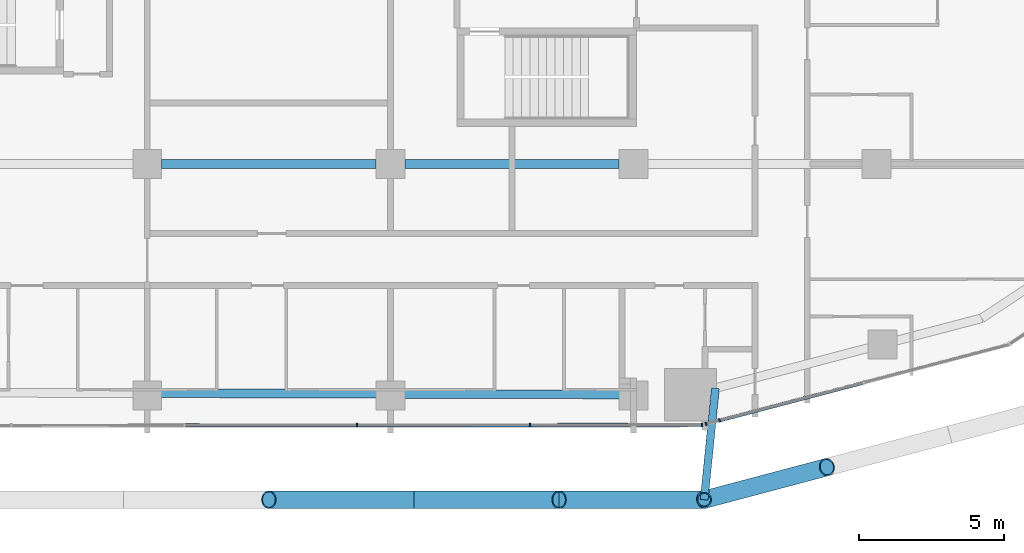
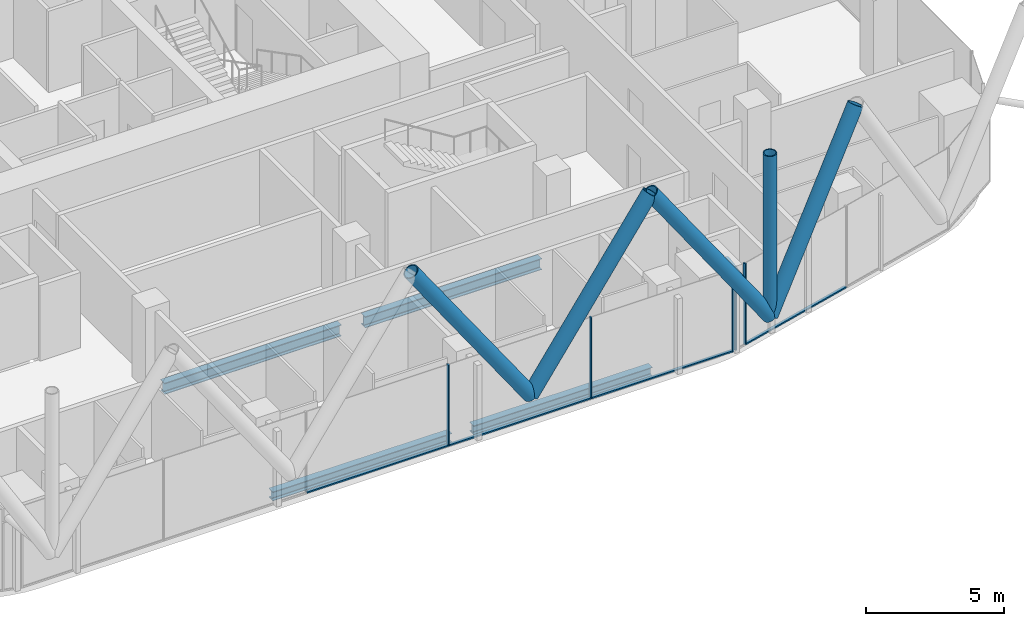
# One storey, part 5 of 34: 15 members, 4 beams, 3 elements without a shape of their own.
"""IFC4 building model written with IfcOpenShell, lengths in metres."""

from ifc_helpers import new_model, si_unit, direction, frame, origin, origin_2d, place, context, subcontext, project, spatial, rectangle, hollow_circle, i_section, extrude, material, layer, layer_set, material_profile, profile_set, type_object, element, aggregate, save


model = new_model("IFC4")

# Units and contexts
model_context = context("Model", 3, precision=1e-05, world=origin(), true_north=direction((0.0, 1.0)))
body_context = subcontext(model_context, "Body", "Model", "MODEL_VIEW")
ifc_project = project(units=[si_unit("LENGTHUNIT", "METRE"), si_unit("AREAUNIT", "SQUARE_METRE"), si_unit("VOLUMEUNIT", "CUBIC_METRE"), si_unit("PLANEANGLEUNIT", "RADIAN"), si_unit("MASSUNIT", "GRAM", prefix="KILO")], contexts=[model_context])

# Site, building, storey
site_placement = place(None, origin())
site = spatial("IfcSite", under=ifc_project, at=site_placement, CompositionType="ELEMENT")
building_placement = place(site_placement, origin())
building = spatial("IfcBuilding", under=site, at=building_placement, Name="Marenta Gate Hotel Tower", CompositionType="ELEMENT")
storey_placement = place(building_placement, frame((0.0, 0.0, 47.300048828125)))
storey = spatial("IfcBuildingStorey", under=building, at=storey_placement, Name="L09", CompositionType="ELEMENT", Elevation=47.300048828125)

# Members
ifc_material_1 = material(Name="Steel S355J2W", Category="steel")
ifc_material_profile_1 = material_profile(ifc_material_1, hollow_circle(Radius=0.25390625, WallThickness=0.0400390625, at=origin_2d()), Name="CHS 508x40")
ifc_profile_set_1 = profile_set([ifc_material_profile_1], Name="Steel S355J2W")
member_type_1 = type_object("IfcMemberType", Name="Diagrid corner post Z1 CHS 508x40", PredefinedType="POST", material=ifc_profile_set_1)
member_1_placement = place(storey_placement, frame((15.0390625, -20.0, 3.139892578125), z_axis=(0.0, 0.0, 1.0), x_axis=(1.0, 0.0, 0.0)))
element("IfcMember", 1, at=member_1_placement, inside=storey, type_object=member_type_1, Name="L09-DR-3", PredefinedType="POST", context=body_context, shape_type="SweptSolid", body=[
    extrude(hollow_circle(Radius=0.25390625, WallThickness=0.0400390625, at=origin_2d()), origin(), (0.0, 0.0, 1.0), 7.199951171875),
])
ifc_material_2 = material(Name="Steel S355J2W", Category="steel")
ifc_material_profile_2 = material_profile(ifc_material_2, hollow_circle(Radius=0.304931640625, WallThickness=0.0400390625, at=origin_2d()), Name="CHS 610x40")
ifc_profile_set_2 = profile_set([ifc_material_profile_2], Name="Steel S355J2W")
member_type_2 = type_object("IfcMemberType", Name="Diagrid diagonal Z1 CHS 610x40", PredefinedType="BRACE", material=ifc_profile_set_2)
member_2_placement = place(storey_placement, frame((15.0390625, -20.0, 3.139892578125), z_axis=(0.502924018666, 0.133433548941, 0.853968921838), x_axis=(-0.256443187528, 0.96655930577, 0.0)))
element("IfcMember", 2, at=member_2_placement, inside=storey, type_object=member_type_2, Name="L09-DG-14", PredefinedType="BRACE", context=body_context, shape_type="SweptSolid", body=[
    extrude(hollow_circle(Radius=0.304931640625, WallThickness=0.0400390625, at=origin_2d()), origin(), (0.0, 0.0, 1.0), 8.43115234375),
])
member_3_placement = place(storey_placement, frame((15.0390625, -20.0, 3.139892578125), z_axis=(-0.571411767966, 0.0, 0.820663506822), x_axis=(0.0, -1.0, 0.0)))
element("IfcMember", 3, at=member_3_placement, inside=storey, type_object=member_type_2, Name="L09-DG-15", PredefinedType="BRACE", context=body_context, shape_type="SweptSolid", body=[
    extrude(hollow_circle(Radius=0.304931640625, WallThickness=0.0400390625, at=origin_2d()), origin(), (0.0, 0.0, 1.0), 8.7734375),
])
for number, where, z_axis, x_axis, name in (
    (4, (5.012939453125, -20.0, 3.139892578125), (0.571393025954, 0.0, 0.820676556197), (0.0, 1.0, 0.0), "L09-DG-16"),
    (5, (5.012939453125, -20.0, 3.139892578125), (-0.571393025954, 0.0, 0.820676556197), (0.0, -1.0, 0.0), "L09-DG-17"),
):
    element("IfcMember", number, at=place(storey_placement, frame(where, z_axis=z_axis, x_axis=x_axis)), inside=storey, type_object=member_type_2, Name=name, PredefinedType="BRACE", context=body_context, shape_type="SweptSolid", body=[
        extrude(hollow_circle(Radius=0.304931640625, WallThickness=0.0400390625, at=origin_2d()), origin(), (0.0, 0.0, 1.0), 8.773193359375),
    ])

# Beams
ifc_material_3 = material(Name="Steel S355", Category="steel")
ifc_material_profile_3 = material_profile(ifc_material_3, i_section(OverallWidth=0.300048828125, OverallDepth=0.39990234375, WebThickness=0.013427734375, FlangeThickness=0.02392578125, FilletRadius=0.027099609375, at=origin_2d()), Name="HEB 400")
ifc_profile_set_3 = profile_set([ifc_material_profile_3], Name="Steel S355")
beam_type_1 = type_object("IfcBeamType", Name="Edge beam HEB 400", PredefinedType="SPANDREL", material=ifc_profile_set_3)
for number, where, z_axis, x_axis, name in (
    (6, (12.139892578125, -16.365966796875, -0.4599609375), (-0.99999624158, 0.002741683018, 0.0), (-0.002741683018, -0.99999624158, 0.0), "L09-EB-32"),
    (7, (3.739990234375, -16.3427734375, -0.4599609375), (-0.99999624158, 0.002741683018, 0.0), (-0.002741683018, -0.99999624158, 0.0), "L09-EB-33"),
):
    element("IfcBeam", number, at=place(storey_placement, frame(where, z_axis=z_axis, x_axis=x_axis)), inside=storey, type_object=beam_type_1, Name=name, PredefinedType="SPANDREL", context=body_context, shape_type="SweptSolid", body=[
        extrude(i_section(OverallWidth=0.300048828125, OverallDepth=0.39990234375, WebThickness=0.013427734375, FlangeThickness=0.02392578125, FilletRadius=0.027099609375, at=origin_2d()), origin(), (0.0, 0.0, 1.0), 7.47998046875),
    ])

# Member
ifc_material_4 = material(Name="Steel S355J2W", Category="steel")
ifc_material_profile_4 = material_profile(ifc_material_4, hollow_circle(Radius=0.136474609375, WallThickness=0.012451171875, at=origin_2d()), Name="CHS 273x12.5")
ifc_profile_set_4 = profile_set([ifc_material_profile_4], Name="Steel S355J2W")
member_type_3 = type_object("IfcMemberType", Name="Floor tie CHS 273x12.5", PredefinedType="STRUT", material=ifc_profile_set_4)
member_4_placement = place(storey_placement, frame((15.0390625, -20.0, 3.139892578125), z_axis=(0.100354093407, 0.994951785735, 0.0), x_axis=(-0.994951785735, 0.100354093407, 0.0)))
element("IfcMember", 8, at=member_4_placement, inside=storey, type_object=member_type_3, Name="L09-DR-9", PredefinedType="STRUT", context=body_context, shape_type="SweptSolid", body=[
    extrude(hollow_circle(Radius=0.136474609375, WallThickness=0.012451171875, at=origin_2d()), origin(), (0.0, 0.0, 1.0), 3.86572265625),
])

# Beams
ifc_material_5 = material(Name="Steel S355", Category="steel")
ifc_material_profile_5 = material_profile(ifc_material_5, i_section(OverallWidth=0.300048828125, OverallDepth=0.5, WebThickness=0.014404296875, FlangeThickness=0.028076171875, FilletRadius=0.027099609375, at=origin_2d()), Name="HEB 500")
ifc_profile_set_5 = profile_set([ifc_material_profile_5], Name="Steel S355")
beam_type_2 = type_object("IfcBeamType", Name="Girder HEB 500", PredefinedType="BEAM", material=ifc_profile_set_5)
beam_1_placement = place(storey_placement, frame((-3.699951171875, -8.39990234375, -0.510009765625), z_axis=(1.0, 0.0, 0.0), x_axis=(0.0, 1.0, 0.0)))
element("IfcBeam", 9, at=beam_1_placement, inside=storey, type_object=beam_type_2, Name="L09-GD-4", PredefinedType="BEAM", context=body_context, shape_type="SweptSolid", body=[
    extrude(i_section(OverallWidth=0.300048828125, OverallDepth=0.5, WebThickness=0.014404296875, FlangeThickness=0.028076171875, FilletRadius=0.027099609375, at=origin_2d()), origin(), (0.0, 0.0, 1.0), 7.39990234375),
])
beam_2_placement = place(storey_placement, frame((4.699951171875, -8.39990234375, -0.510009765625), z_axis=(1.0, 0.0, 0.0), x_axis=(0.0, 1.0, 0.0)))
element("IfcBeam", 10, at=beam_2_placement, inside=storey, type_object=beam_type_2, Name="L09-GD-5", PredefinedType="BEAM", context=body_context, shape_type="SweptSolid", body=[
    extrude(i_section(OverallWidth=0.300048828125, OverallDepth=0.5, WebThickness=0.014404296875, FlangeThickness=0.028076171875, FilletRadius=0.027099609375, at=origin_2d()), origin(), (0.0, 0.0, 1.0), 7.400146484375),
])

# Curtain wall, members
ifc_material_6 = material(Name="Tinted insulated glass in bronze anodised frame", Category="glass")
ifc_layer = layer(ifc_material_6, 0.1201171875)
ifc_layer_set = layer_set([ifc_layer], Name="Tinted insulated glass in bronze anodised frame")
curtain_wall_type = type_object("IfcCurtainWallType", Name="Tower unitised curtain wall CW1", PredefinedType="NOTDEFINED", material=ifc_layer_set)
curtain_wall_1_placement = place(storey_placement, origin())
curtain_wall_1 = element("IfcCurtainWall", 11, at=curtain_wall_1_placement, inside=storey, type_object=curtain_wall_type, Name="CW1 run G11", PredefinedType="NOTDEFINED")
ifc_material_7 = material(Name="Bronze anodised aluminium", Category="aluminium")
ifc_material_profile_6 = material_profile(ifc_material_7, rectangle(XDim=0.1201171875, YDim=0.06005859375, at=origin_2d()), Name="Mullion CW1 60x120 bronze anodised aluminium")
ifc_profile_set_6 = profile_set([ifc_material_profile_6], Name="Bronze anodised aluminium")
member_type_4 = type_object("IfcMemberType", Name="Mullion CW1 60x120 bronze anodised aluminium", PredefinedType="MULLION", material=ifc_profile_set_6)
member_5_placement = place(storey_placement, frame((3.048095703125, -17.427001953125, 0.0), z_axis=(0.0, 0.0, 1.0), x_axis=(-0.001161921639, 0.999999324969, 0.0)))
member_5 = element("IfcMember", 12, at=member_5_placement, type_object=member_type_4, Name="CW1 mullion 4", PredefinedType="MULLION", context=body_context, shape_type="SweptSolid", body=[
    extrude(rectangle(XDim=0.1201171875, YDim=0.06005859375, at=origin_2d()), origin(), (0.0, 0.0, 1.0), 3.599853515625),
])
member_6_placement = place(storey_placement, frame((9.020751953125, -17.419921875, 0.0), z_axis=(0.0, 0.0, 1.0), x_axis=(-0.001161921639, 0.999999324969, 0.0)))
member_6 = element("IfcMember", 13, at=member_6_placement, type_object=member_type_4, Name="CW1 mullion 5", PredefinedType="MULLION", context=body_context, shape_type="SweptSolid", body=[
    extrude(rectangle(XDim=0.1201171875, YDim=0.06005859375, at=origin_2d()), origin(), (0.0, 0.0, 1.0), 3.599853515625),
])
member_7_placement = place(storey_placement, frame((14.963623046875, -17.4130859375, 0.0), z_axis=(0.0, 0.0, 1.0), x_axis=(-0.001161921639, 0.999999324969, 0.0)))
member_7 = element("IfcMember", 14, at=member_7_placement, type_object=member_type_4, Name="CW1 mullion 6", PredefinedType="MULLION", context=body_context, shape_type="SweptSolid", body=[
    extrude(rectangle(XDim=0.1201171875, YDim=0.06005859375, at=origin_2d()), origin(), (0.0, 0.0, 1.0), 3.599853515625),
])

# Curtain wall, member
curtain_wall_2_placement = place(storey_placement, origin())
curtain_wall_2 = element("IfcCurtainWall", 15, at=curtain_wall_2_placement, inside=storey, type_object=curtain_wall_type, Name="CW1 run G12", PredefinedType="NOTDEFINED")
member_8_placement = place(storey_placement, frame((15.103515625, -17.38427734375, 0.0), z_axis=(0.0, 0.0, 1.0), x_axis=(-0.25342392363, 0.967355319897, 0.0)))
member_8 = element("IfcMember", 16, at=member_8_placement, type_object=member_type_4, Name="CW1 mullion 1", PredefinedType="MULLION", context=body_context, shape_type="SweptSolid", body=[
    extrude(rectangle(XDim=0.1201171875, YDim=0.06005859375, at=origin_2d()), origin(), (0.0, 0.0, 1.0), 3.00048828125),
])
aggregate(curtain_wall_2, [member_8])

curtain_wall_3_placement = place(storey_placement, origin())
curtain_wall_3 = element("IfcCurtainWall", 17, at=curtain_wall_3_placement, inside=storey, type_object=curtain_wall_type, Name="CW1 run G13", PredefinedType="NOTDEFINED")
member_9_placement = place(storey_placement, frame((15.571044921875, -17.26171875, 0.0), z_axis=(0.0, 0.0, 1.0), x_axis=(-0.253363691666, 0.967371097224, 0.0)))
member_9 = element("IfcMember", 18, at=member_9_placement, type_object=member_type_4, Name="CW1 mullion 1", PredefinedType="MULLION", context=body_context, shape_type="SweptSolid", body=[
    extrude(rectangle(XDim=0.1201171875, YDim=0.06005859375, at=origin_2d()), origin(), (0.0, 0.0, 1.0), 3.599853515625),
])

# Member
ifc_material_8 = material(Name="Bronze anodised aluminium", Category="aluminium")
ifc_material_profile_7 = material_profile(ifc_material_8, rectangle(XDim=0.1201171875, YDim=0.06005859375, at=origin_2d()), Name="Transom CW1 60x120 bronze anodised aluminium")
ifc_profile_set_7 = profile_set([ifc_material_profile_7], Name="Bronze anodised aluminium")
member_type_5 = type_object("IfcMemberType", Name="Transom CW1 60x120 bronze anodised aluminium", PredefinedType="USERDEFINED", material=ifc_profile_set_7)
member_10_placement = place(storey_placement, frame((-2.894775390625, -17.433837890625, 0.030029296875), z_axis=(0.999999331697, 0.001156116326, 0.0), x_axis=(-0.001156116326, 0.999999331697, 0.0)))
member_10 = element("IfcMember", 19, at=member_10_placement, type_object=member_type_5, Name="CW1 transom 3.1", ObjectType="TRANSOM", PredefinedType="USERDEFINED", context=body_context, shape_type="SweptSolid", body=[
    extrude(rectangle(XDim=0.1201171875, YDim=0.06005859375, at=origin_2d()), origin(), (0.0, 0.0, 1.0), 5.912841796875),
])

member_11_placement = place(storey_placement, frame((3.077880859375, -17.427001953125, 0.030029296875), z_axis=(0.999999331697, 0.001156116326, 0.0), x_axis=(-0.001156116326, 0.999999331697, 0.0)))
member_11 = element("IfcMember", 20, at=member_11_placement, type_object=member_type_5, Name="CW1 transom 4.1", ObjectType="TRANSOM", PredefinedType="USERDEFINED", context=body_context, shape_type="SweptSolid", body=[
    extrude(rectangle(XDim=0.1201171875, YDim=0.06005859375, at=origin_2d()), origin(), (0.0, 0.0, 1.0), 5.912841796875),
])

member_12_placement = place(storey_placement, frame((9.05078125, -17.419921875, 0.030029296875), z_axis=(0.999999324857, 0.001162017808, 0.0), x_axis=(-0.001162017808, 0.999999324857, 0.0)))
member_12 = element("IfcMember", 21, at=member_12_placement, type_object=member_type_5, Name="CW1 transom 5.1", ObjectType="TRANSOM", PredefinedType="USERDEFINED", context=body_context, shape_type="SweptSolid", body=[
    extrude(rectangle(XDim=0.1201171875, YDim=0.06005859375, at=origin_2d()), origin(), (0.0, 0.0, 1.0), 5.8828125),
])

aggregate(curtain_wall_1, [member_5, member_6, member_7, member_10, member_11, member_12])

member_13_placement = place(storey_placement, frame((15.60009765625, -17.254150390625, 0.030029296875), z_axis=(0.967374461707, 0.253350845344, 0.0), x_axis=(-0.253350845344, 0.967374461707, 0.0)))
member_13 = element("IfcMember", 22, at=member_13_placement, type_object=member_type_5, Name="CW1 transom 1.1", ObjectType="TRANSOM", PredefinedType="USERDEFINED", context=body_context, shape_type="SweptSolid", body=[
    extrude(rectangle(XDim=0.1201171875, YDim=0.06005859375, at=origin_2d()), origin(), (0.0, 0.0, 1.0), 5.091796875),
])

aggregate(curtain_wall_3, [member_9, member_13])

save(model, "model.ifc")
